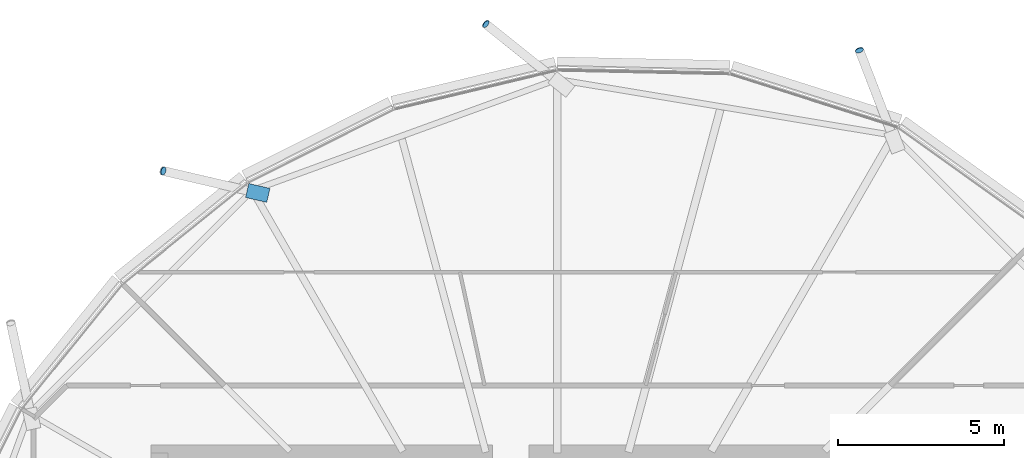
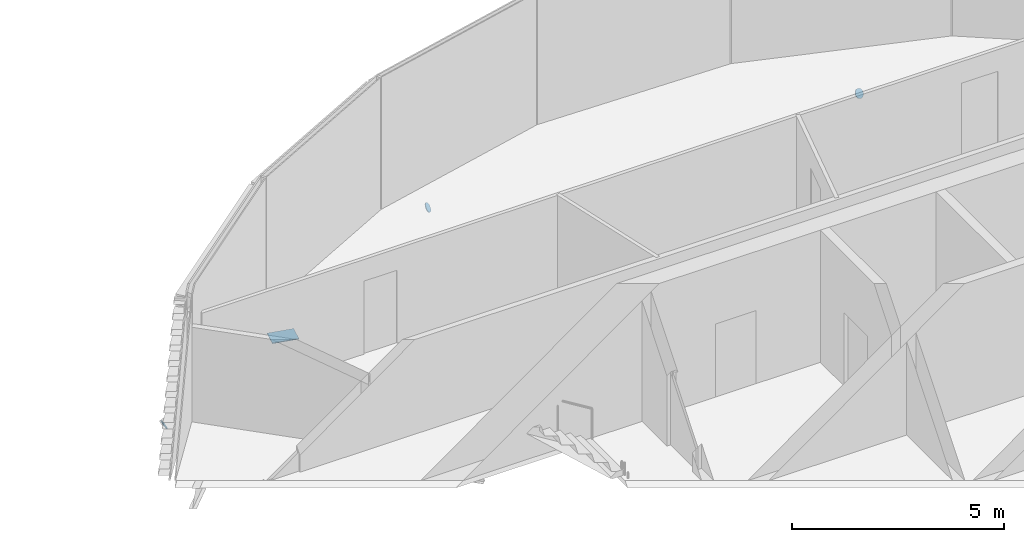
# One storey, part 30 of 35: 4 discrete accessories.
"""IFC4 building model written with IfcOpenShell, lengths in metres."""

from ifc_helpers import new_model, si_unit, direction, frame, origin, origin_2d, place, context, subcontext, project, spatial, polyline, rectangle, circle, outline, extrude, material, material_profile, profile_set, type_object, element, save


model = new_model("IFC4")

# Units and contexts
model_context = context("Model", 3, precision=1e-05, world=origin(), true_north=direction((0.0, 1.0)))
body_context = subcontext(model_context, "Body", "Model", "MODEL_VIEW")
ifc_project = project(units=[si_unit("LENGTHUNIT", "METRE"), si_unit("AREAUNIT", "SQUARE_METRE"), si_unit("VOLUMEUNIT", "CUBIC_METRE"), si_unit("PLANEANGLEUNIT", "RADIAN"), si_unit("MASSUNIT", "GRAM", prefix="KILO")], contexts=[model_context])

# Site, building, storey
site_placement = place(None, origin())
site = spatial("IfcSite", under=ifc_project, at=site_placement, CompositionType="ELEMENT")
building_placement = place(site_placement, origin())
building = spatial("IfcBuilding", under=site, at=building_placement, Name="Rimbun Link Towers", CompositionType="ELEMENT")
storey_placement = place(building_placement, frame((0.0, 0.0, 229.5)))
storey = spatial("IfcBuildingStorey", under=building, at=storey_placement, Name="L56", CompositionType="ELEMENT", Elevation=229.5)

# Discrete accessories
ifc_material_1 = material(Name="Steel S355J2H", Category="steel")
ifc_material_profile_1 = material_profile(ifc_material_1, circle(Radius=0.1240234375, at=origin_2d()), Name="PL D248")
ifc_profile_set_1 = profile_set([ifc_material_profile_1], Name="Steel S355J2H")
discrete_accessory_type_1 = type_object("IfcDiscreteAccessoryType", Name="Link foot sealing plate D248X20", PredefinedType="BRACKET", material=ifc_profile_set_1)
discrete_accessory_1_placement = place(storey_placement, frame((40.8759765625, 20.154296875, -2.667236328125), z_axis=(-0.290487935293, 0.786738158085, -0.544664878675), x_axis=(-0.938096474139, -0.346374082759, 0.0)))
element("IfcDiscreteAccessory", 1, at=discrete_accessory_1_placement, inside=storey, type_object=discrete_accessory_type_1, Name="Link foot sealing plate T2 L56 01", PredefinedType="BRACKET", context=body_context, shape_type="SweptSolid", body=[
    extrude(circle(Radius=0.1240234375, at=origin_2d()), origin(), (0.0, 0.0, 1.0), 0.020263671875),
])
discrete_accessory_2_placement = place(storey_placement, frame((29.604736328125, 20.947509765625, -2.47900390625), z_axis=(-0.670382848063, 0.548495057506, -0.499739941283), x_axis=(-0.633237790257, -0.773957299203, 0.0)))
element("IfcDiscreteAccessory", 2, at=discrete_accessory_2_placement, inside=storey, type_object=discrete_accessory_type_1, Name="Link foot sealing plate T2 L56 03", PredefinedType="BRACKET", context=body_context, shape_type="SweptSolid", body=[
    extrude(circle(Radius=0.1240234375, at=origin_2d()), origin(), (0.0, 0.0, 1.0), 0.02001953125),
])
discrete_accessory_3_placement = place(storey_placement, frame((19.87158203125, 16.5166015625, -2.62451171875), z_axis=(-0.810136177929, 0.196396649195, -0.552365575861), x_axis=(-0.235600025622, -0.971850105689, 0.0)))
element("IfcDiscreteAccessory", 3, at=discrete_accessory_3_placement, inside=storey, type_object=discrete_accessory_type_1, Name="Link foot sealing plate T2 L56 05", PredefinedType="BRACKET", context=body_context, shape_type="SweptSolid", body=[
    extrude(circle(Radius=0.1240234375, at=origin_2d()), origin(), (0.0, 0.0, 1.0), 0.019775390625),
])
ifc_material_2 = material(Name="Steel S355J2H", Category="steel")
ifc_material_profile_2 = material_profile(ifc_material_2, rectangle(XDim=0.43310546875, YDim=0.43310546875, at=origin_2d()), Name="PL 433x433")
ifc_profile_set_2 = profile_set([ifc_material_profile_2], Name="Steel S355J2H")
discrete_accessory_type_2 = type_object("IfcDiscreteAccessoryType", Name="Link head end plate 433X20", PredefinedType="BRACKET", material=ifc_profile_set_2)
discrete_accessory_4_placement = place(storey_placement, frame((0.0, 0.0, -0.693115234375)))
element("IfcDiscreteAccessory", 4, at=discrete_accessory_4_placement, inside=storey, type_object=discrete_accessory_type_2, Name="Link head end plate T2 L56 05", PredefinedType="BRACKET", context=body_context, shape_type="SweptSolid", body=[
    extrude(outline(polyline([(23.084228515625, 15.990966796875), (22.4462890625, 16.139404296875), (22.34814453125, 15.7177734375), (22.986083984375, 15.5693359375), (23.084228515625, 15.990966796875)])), origin(), (0.0, 0.0, 1.0), 0.02001953125),
])

save(model, "model.ifc")
